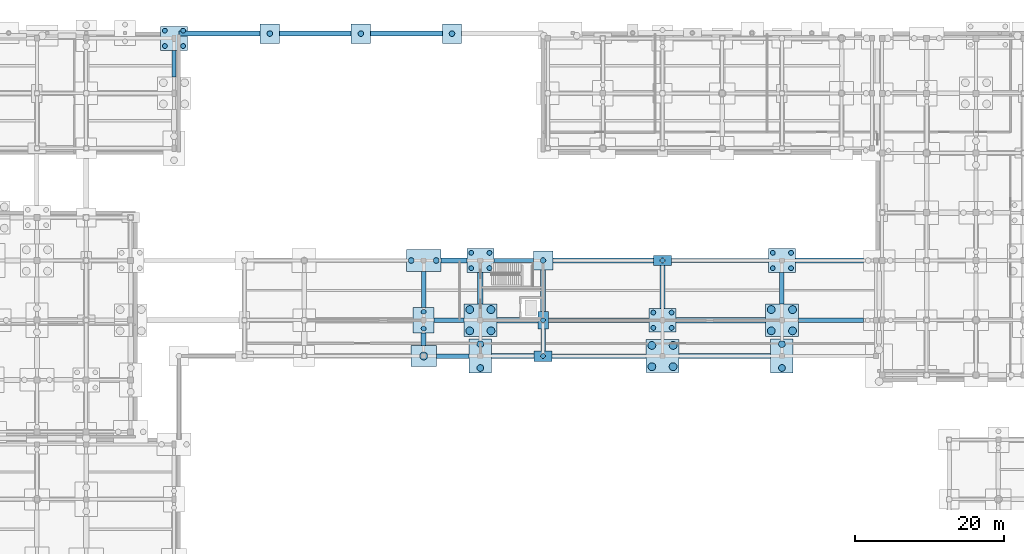
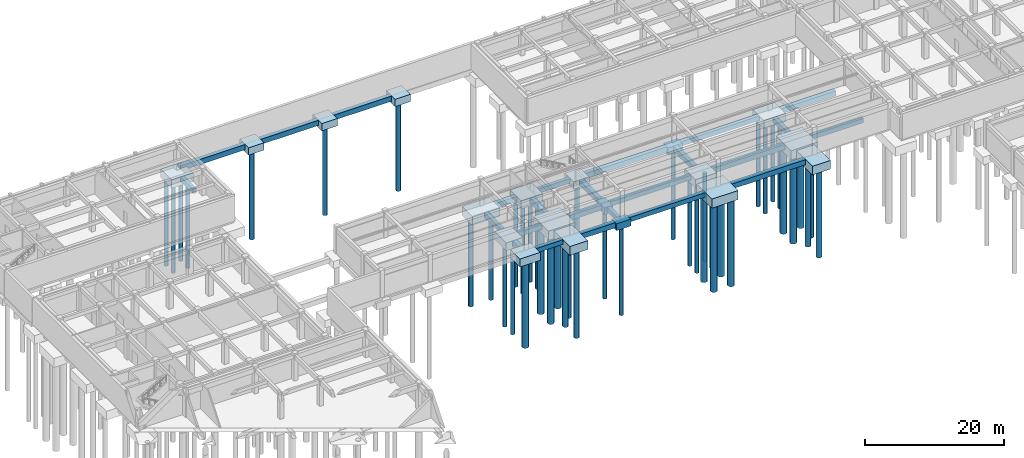
# One storey, part 6 of 35: 44 footings, 44 piles.
"""IFC4 building model written with IfcOpenShell, lengths in metres."""

from ifc_helpers import new_model, si_unit, direction, frame, origin, origin_2d, place, context, subcontext, project, spatial, polyline, rectangle, circle, outline, extrude, material, layer, layer_set, material_profile, profile_set, type_object, element, save


model = new_model("IFC4")

# Units and contexts
model_context = context("Model", 3, precision=1e-05, world=origin(), true_north=direction((0.0, 1.0)))
body_context = subcontext(model_context, "Body", "Model", "MODEL_VIEW")
ifc_project = project(units=[si_unit("LENGTHUNIT", "METRE"), si_unit("AREAUNIT", "SQUARE_METRE"), si_unit("VOLUMEUNIT", "CUBIC_METRE"), si_unit("PLANEANGLEUNIT", "RADIAN"), si_unit("MASSUNIT", "GRAM", prefix="KILO")], contexts=[model_context])

# Site, building, storey
site_placement = place(None, origin())
site = spatial("IfcSite", under=ifc_project, at=site_placement, CompositionType="ELEMENT")
building_placement = place(site_placement, origin())
building = spatial("IfcBuilding", under=site, at=building_placement, Name="Cinchona Park Media Centre", CompositionType="ELEMENT")
storey_placement = place(building_placement, frame((0.0, 0.0, -4.800048828125)))
storey = spatial("IfcBuildingStorey", under=building, at=storey_placement, Name="B1", CompositionType="ELEMENT", Elevation=-4.800048828125)

# Footings
ifc_material_1 = material(Name="Concrete C40/50", Category="concrete")
ifc_layer_1 = layer(ifc_material_1, 0.800048828125)
ifc_layer_set_1 = layer_set([ifc_layer_1], Name="Concrete C40/50")
footing_type_1 = type_object("IfcFootingType", Name="FTG-BEAM-FB01", PredefinedType="FOOTING_BEAM", material=ifc_layer_set_1)
footing_1_placement = place(storey_placement, frame((0.0, 0.0, -1.199951171875)))
element("IfcFooting", 1, at=footing_1_placement, inside=storey, type_object=footing_type_1, Name="Ground Tie Beam FB01", PredefinedType="FOOTING_BEAM", context=body_context, shape_type="SweptSolid", body=[
    extrude(outline(polyline([(80.5, 74.5), (84.89990234375, 74.5), (84.89990234375, 75.10009765625), (80.5, 75.10009765625), (80.5, 74.5)])), origin(), (0.0, 0.0, 1.0), 0.800048828125),
])
footing_2_placement = place(storey_placement, frame((0.0, 0.0, -1.199951171875)))
element("IfcFooting", 2, at=footing_2_placement, inside=storey, type_object=footing_type_1, Name="Ground Tie Beam FB01", PredefinedType="FOOTING_BEAM", context=body_context, shape_type="SweptSolid", body=[
    extrude(outline(polyline([(96.0, 74.5), (108.60009765625, 74.5), (108.60009765625, 75.10009765625), (96.0, 75.10009765625), (96.0, 74.5)])), origin(), (0.0, 0.0, 1.0), 0.800048828125),
])
footing_3_placement = place(storey_placement, frame((0.0, 0.0, -1.199951171875)))
element("IfcFooting", 3, at=footing_3_placement, inside=storey, type_object=footing_type_1, Name="Ground Tie Beam FB01", PredefinedType="FOOTING_BEAM", context=body_context, shape_type="SweptSolid", body=[
    extrude(outline(polyline([(80.199951171875, 79.300048828125), (84.199951171875, 79.300048828125), (84.199951171875, 79.89990234375), (80.199951171875, 79.89990234375), (80.199951171875, 79.300048828125)])), origin(), (0.0, 0.0, 1.0), 0.800048828125),
])
footing_4_placement = place(storey_placement, frame((0.0, 0.0, -1.199951171875)))
element("IfcFooting", 4, at=footing_4_placement, inside=storey, type_object=footing_type_1, Name="Ground Tie Beam FB01", PredefinedType="FOOTING_BEAM", context=body_context, shape_type="SweptSolid", body=[
    extrude(outline(polyline([(95.5, 79.300048828125), (109.0, 79.300048828125), (109.0, 79.89990234375), (95.5, 79.89990234375), (95.5, 79.300048828125)])), origin(), (0.0, 0.0, 1.0), 0.800048828125),
])
footing_5_placement = place(storey_placement, frame((0.0, 0.0, -1.199951171875)))
element("IfcFooting", 5, at=footing_5_placement, inside=storey, type_object=footing_type_1, Name="Ground Tie Beam FB01", PredefinedType="FOOTING_BEAM", context=body_context, shape_type="SweptSolid", body=[
    extrude(outline(polyline([(129.0, 79.300048828125), (137.719970703125, 79.300048828125), (137.719970703125, 79.89990234375), (129.0, 79.89990234375), (129.0, 79.300048828125)])), origin(), (0.0, 0.0, 1.0), 0.800048828125),
])
footing_6_placement = place(storey_placement, frame((0.0, 0.0, -1.199951171875)))
element("IfcFooting", 6, at=footing_6_placement, inside=storey, type_object=footing_type_1, Name="Ground Tie Beam FB01", PredefinedType="FOOTING_BEAM", context=body_context, shape_type="SweptSolid", body=[
    extrude(outline(polyline([(88.199951171875, 87.300048828125), (93.5, 87.300048828125), (93.5, 87.89990234375), (88.199951171875, 87.89990234375), (88.199951171875, 87.300048828125)])), origin(), (0.0, 0.0, 1.0), 0.800048828125),
])
footing_7_placement = place(storey_placement, frame((0.0, 0.0, -1.199951171875)))
element("IfcFooting", 7, at=footing_7_placement, inside=storey, type_object=footing_type_1, Name="Ground Tie Beam FB01", PredefinedType="FOOTING_BEAM", context=body_context, shape_type="SweptSolid", body=[
    extrude(outline(polyline([(112.0, 87.300048828125), (125.0, 87.300048828125), (125.0, 87.89990234375), (112.0, 87.89990234375), (112.0, 87.300048828125)])), origin(), (0.0, 0.0, 1.0), 0.800048828125),
])
footing_8_placement = place(storey_placement, frame((0.0, 0.0, -1.224853515625)))
element("IfcFooting", 8, at=footing_8_placement, inside=storey, type_object=footing_type_1, Name="Ground Tie Beam FB01", PredefinedType="FOOTING_BEAM", context=body_context, shape_type="SweptSolid", body=[
    extrude(outline(polyline([(45.06005859375, 112.199951171875), (45.659912109375, 112.199951171875), (45.659912109375, 115.760009765625), (45.06005859375, 115.760009765625), (45.06005859375, 112.199951171875)])), origin(), (0.0, 0.0, 1.0), 0.7998046875),
])
footing_9_placement = place(storey_placement, frame((0.0, 0.0, -1.199951171875)))
element("IfcFooting", 9, at=footing_9_placement, inside=storey, type_object=footing_type_1, Name="Ground Tie Beam FB01", PredefinedType="FOOTING_BEAM", context=body_context, shape_type="SweptSolid", body=[
    extrude(outline(polyline([(78.5, 81.300048828125), (79.10009765625, 81.300048828125), (79.10009765625, 86.10009765625), (78.5, 86.10009765625), (78.5, 81.300048828125)])), origin(), (0.0, 0.0, 1.0), 0.800048828125),
])
footing_10_placement = place(storey_placement, frame((0.0, 0.0, -1.199951171875)))
element("IfcFooting", 10, at=footing_10_placement, inside=storey, type_object=footing_type_1, Name="Ground Tie Beam FB01", PredefinedType="FOOTING_BEAM", context=body_context, shape_type="SweptSolid", body=[
    extrude(outline(polyline([(94.5, 75.5), (95.10009765625, 75.5), (95.10009765625, 78.39990234375), (94.5, 78.39990234375), (94.5, 75.5)])), origin(), (0.0, 0.0, 1.0), 0.800048828125),
])
footing_11_placement = place(storey_placement, frame((0.0, 0.0, -1.199951171875)))
element("IfcFooting", 11, at=footing_11_placement, inside=storey, type_object=footing_type_1, Name="Ground Tie Beam FB01", PredefinedType="FOOTING_BEAM", context=body_context, shape_type="SweptSolid", body=[
    extrude(outline(polyline([(126.5, 81.800048828125), (127.10009765625, 81.800048828125), (127.10009765625, 86.0), (126.5, 86.0), (126.5, 81.800048828125)])), origin(), (0.0, 0.0, 1.0), 0.800048828125),
])
ifc_material_2 = material(Name="Concrete C40/50", Category="concrete")
ifc_layer_2 = layer(ifc_material_2, 0.89990234375)
ifc_layer_set_2 = layer_set([ifc_layer_2], Name="Concrete C40/50")
footing_type_2 = type_object("IfcFootingType", Name="FTG-BEAM-FB02", PredefinedType="FOOTING_BEAM", material=ifc_layer_set_2)
footing_12_placement = place(storey_placement, frame((0.0, 0.0, -1.300048828125)))
element("IfcFooting", 12, at=footing_12_placement, inside=storey, type_object=footing_type_2, Name="Ground Tie Beam FB02", PredefinedType="FOOTING_BEAM", context=body_context, shape_type="SweptSolid", body=[
    extrude(outline(polyline([(87.89990234375, 74.449951171875), (93.60009765625, 74.449951171875), (93.60009765625, 75.14990234375), (87.89990234375, 75.14990234375), (87.89990234375, 74.449951171875)])), origin(), (0.0, 0.0, 1.0), 0.900146484375),
])
footing_13_placement = place(storey_placement, frame((0.0, 0.0, -1.300048828125)))
element("IfcFooting", 13, at=footing_13_placement, inside=storey, type_object=footing_type_2, Name="Ground Tie Beam FB02", PredefinedType="FOOTING_BEAM", context=body_context, shape_type="SweptSolid", body=[
    extrude(outline(polyline([(113.0, 74.449951171875), (125.300048828125, 74.449951171875), (125.300048828125, 75.14990234375), (113.0, 75.14990234375), (113.0, 74.449951171875)])), origin(), (0.0, 0.0, 1.0), 0.900146484375),
])
footing_14_placement = place(storey_placement, frame((0.0, 0.0, -1.300048828125)))
element("IfcFooting", 14, at=footing_14_placement, inside=storey, type_object=footing_type_2, Name="Ground Tie Beam FB02", PredefinedType="FOOTING_BEAM", context=body_context, shape_type="SweptSolid", body=[
    extrude(outline(polyline([(88.60009765625, 79.25), (94.10009765625, 79.25), (94.10009765625, 79.949951171875), (88.60009765625, 79.949951171875), (88.60009765625, 79.25)])), origin(), (0.0, 0.0, 1.0), 0.900146484375),
])
footing_15_placement = place(storey_placement, frame((0.0, 0.0, -1.300048828125)))
element("IfcFooting", 15, at=footing_15_placement, inside=storey, type_object=footing_type_2, Name="Ground Tie Beam FB02", PredefinedType="FOOTING_BEAM", context=body_context, shape_type="SweptSolid", body=[
    extrude(outline(polyline([(112.60009765625, 79.25), (124.60009765625, 79.25), (124.60009765625, 79.949951171875), (112.60009765625, 79.949951171875), (112.60009765625, 79.25)])), origin(), (0.0, 0.0, 1.0), 0.900146484375),
])
footing_16_placement = place(storey_placement, frame((0.0, 0.0, -1.300048828125)))
element("IfcFooting", 16, at=footing_16_placement, inside=storey, type_object=footing_type_2, Name="Ground Tie Beam FB02", PredefinedType="FOOTING_BEAM", context=body_context, shape_type="SweptSolid", body=[
    extrude(outline(polyline([(81.10009765625, 87.25), (84.60009765625, 87.25), (84.60009765625, 87.949951171875), (81.10009765625, 87.949951171875), (81.10009765625, 87.25)])), origin(), (0.0, 0.0, 1.0), 0.900146484375),
])
footing_17_placement = place(storey_placement, frame((0.0, 0.0, -1.300048828125)))
element("IfcFooting", 17, at=footing_17_placement, inside=storey, type_object=footing_type_2, Name="Ground Tie Beam FB02", PredefinedType="FOOTING_BEAM", context=body_context, shape_type="SweptSolid", body=[
    extrude(outline(polyline([(96.10009765625, 87.25), (109.60009765625, 87.25), (109.60009765625, 87.949951171875), (96.10009765625, 87.949951171875), (96.10009765625, 87.25)])), origin(), (0.0, 0.0, 1.0), 0.900146484375),
])
footing_18_placement = place(storey_placement, frame((0.0, 0.0, -1.300048828125)))
element("IfcFooting", 18, at=footing_18_placement, inside=storey, type_object=footing_type_2, Name="Ground Tie Beam FB02", PredefinedType="FOOTING_BEAM", context=body_context, shape_type="SweptSolid", body=[
    extrude(outline(polyline([(128.60009765625, 87.25), (137.719970703125, 87.25), (137.719970703125, 87.949951171875), (128.60009765625, 87.949951171875), (128.60009765625, 87.25)])), origin(), (0.0, 0.0, 1.0), 0.900146484375),
])
footing_19_placement = place(storey_placement, frame((0.0, 0.0, -1.300048828125)))
element("IfcFooting", 19, at=footing_19_placement, inside=storey, type_object=footing_type_2, Name="Ground Tie Beam FB02", PredefinedType="FOOTING_BEAM", context=body_context, shape_type="SweptSolid", body=[
    extrude(outline(polyline([(78.449951171875, 76.199951171875), (79.14990234375, 76.199951171875), (79.14990234375, 77.89990234375), (78.449951171875, 77.89990234375), (78.449951171875, 76.199951171875)])), origin(), (0.0, 0.0, 1.0), 0.900146484375),
])
footing_20_placement = place(storey_placement, frame((0.0, 0.0, -1.300048828125)))
element("IfcFooting", 20, at=footing_20_placement, inside=storey, type_object=footing_type_2, Name="Ground Tie Beam FB02", PredefinedType="FOOTING_BEAM", context=body_context, shape_type="SweptSolid", body=[
    extrude(outline(polyline([(86.050048828125, 81.800048828125), (86.75, 81.800048828125), (86.75, 86.0), (86.050048828125, 86.0), (86.050048828125, 81.800048828125)])), origin(), (0.0, 0.0, 1.0), 0.900146484375),
])
footing_21_placement = place(storey_placement, frame((0.0, 0.0, -1.300048828125)))
element("IfcFooting", 21, at=footing_21_placement, inside=storey, type_object=footing_type_2, Name="Ground Tie Beam FB02", PredefinedType="FOOTING_BEAM", context=body_context, shape_type="SweptSolid", body=[
    extrude(outline(polyline([(94.449951171875, 80.800048828125), (95.14990234375, 80.800048828125), (95.14990234375, 86.300048828125), (94.449951171875, 86.300048828125), (94.449951171875, 80.800048828125)])), origin(), (0.0, 0.0, 1.0), 0.900146484375),
])
footing_22_placement = place(storey_placement, frame((0.0, 0.0, -1.300048828125)))
element("IfcFooting", 22, at=footing_22_placement, inside=storey, type_object=footing_type_2, Name="Ground Tie Beam FB02", PredefinedType="FOOTING_BEAM", context=body_context, shape_type="SweptSolid", body=[
    extrude(outline(polyline([(110.449951171875, 81.199951171875), (111.14990234375, 81.199951171875), (111.14990234375, 86.89990234375), (110.449951171875, 86.89990234375), (110.449951171875, 81.199951171875)])), origin(), (0.0, 0.0, 1.0), 0.900146484375),
])
footing_23_placement = place(storey_placement, frame((0.0, 0.0, -0.89990234375)))
element("IfcFooting", 23, at=footing_23_placement, inside=storey, type_object=footing_type_2, Name="Ground Tie Beam FB02", PredefinedType="FOOTING_BEAM", context=body_context, shape_type="SweptSolid", body=[
    extrude(outline(polyline([(46.010009765625, 117.64990234375), (56.89990234375, 117.64990234375), (56.89990234375, 118.35009765625), (46.010009765625, 118.35009765625), (46.010009765625, 117.64990234375)])), origin(), (0.0, 0.0, 1.0), 0.89990234375),
])
footing_24_placement = place(storey_placement, frame((0.0, 0.0, -0.89990234375)))
element("IfcFooting", 24, at=footing_24_placement, inside=storey, type_object=footing_type_2, Name="Ground Tie Beam FB02", PredefinedType="FOOTING_BEAM", context=body_context, shape_type="SweptSolid", body=[
    extrude(outline(polyline([(59.5, 117.64990234375), (69.10009765625, 117.64990234375), (69.10009765625, 118.35009765625), (59.5, 118.35009765625), (59.5, 117.64990234375)])), origin(), (0.0, 0.0, 1.0), 0.89990234375),
])
footing_25_placement = place(storey_placement, frame((0.0, 0.0, -0.89990234375)))
element("IfcFooting", 25, at=footing_25_placement, inside=storey, type_object=footing_type_2, Name="Ground Tie Beam FB02", PredefinedType="FOOTING_BEAM", context=body_context, shape_type="SweptSolid", body=[
    extrude(outline(polyline([(71.699951171875, 117.64990234375), (81.300048828125, 117.64990234375), (81.300048828125, 118.35009765625), (71.699951171875, 118.35009765625), (71.699951171875, 117.64990234375)])), origin(), (0.0, 0.0, 1.0), 0.89990234375),
])

# Piles
ifc_material_3 = material(Name="Concrete C40/50", Category="concrete")
ifc_material_profile_1 = material_profile(ifc_material_3, circle(Radius=0.52490234375, at=origin_2d()), Name="BORED PILE 1050")
ifc_profile_set_1 = profile_set([ifc_material_profile_1], Name="Concrete C40/50")
pile_type_1 = type_object("IfcPileType", Name="PILE-BP1050", PredefinedType="BORED", material=ifc_profile_set_1)
pile_1_placement = place(storey_placement, frame((78.800048828125, 74.800048828125, -1.699951171875), z_axis=(0.0, 0.0, -1.0), x_axis=(1.0, 0.0, 0.0)))
element("IfcPile", 26, at=pile_1_placement, inside=storey, type_object=pile_type_1, Name="Bored Pile P1050", PredefinedType="BORED", context=body_context, shape_type="SweptSolid", body=[
    extrude(circle(Radius=0.52490234375, at=origin_2d()), origin(), (0.0, 0.0, 1.0), 15.5),
])
for number, where, z_axis, x_axis, name in (
    (27, (84.97509765625, 78.175048828125, -1.89990234375), (0.0, 0.0, -1.0), (1.0, 0.0, 0.0), "Bored Pile P1050"),
    (28, (84.97509765625, 81.02490234375, -1.89990234375), (0.0, 0.0, -1.0), (1.0, 0.0, 0.0), "Bored Pile P1050"),
    (29, (87.824951171875, 78.175048828125, -1.89990234375), (0.0, 0.0, -1.0), (1.0, 0.0, 0.0), "Bored Pile P1050"),
    (30, (87.824951171875, 81.02490234375, -1.89990234375), (0.0, 0.0, -1.0), (1.0, 0.0, 0.0), "Bored Pile P1050"),
    (31, (109.375, 73.375, -1.89990234375), (0.0, 0.0, -1.0), (1.0, 0.0, 0.0), "Bored Pile P1050"),
    (32, (109.375, 76.22509765625, -1.89990234375), (0.0, 0.0, -1.0), (1.0, 0.0, 0.0), "Bored Pile P1050"),
    (33, (112.22509765625, 73.375, -1.89990234375), (0.0, 0.0, -1.0), (1.0, 0.0, 0.0), "Bored Pile P1050"),
    (34, (112.22509765625, 76.22509765625, -1.89990234375), (0.0, 0.0, -1.0), (1.0, 0.0, 0.0), "Bored Pile P1050"),
    (35, (125.375, 78.175048828125, -1.89990234375), (0.0, 0.0, -1.0), (1.0, 0.0, 0.0), "Bored Pile P1050"),
    (36, (125.375, 81.02490234375, -1.89990234375), (0.0, 0.0, -1.0), (1.0, 0.0, 0.0), "Bored Pile P1050"),
    (37, (128.22509765625, 78.175048828125, -1.89990234375), (0.0, 0.0, -1.0), (1.0, 0.0, 0.0), "Bored Pile P1050"),
    (38, (128.22509765625, 81.02490234375, -1.89990234375), (0.0, 0.0, -1.0), (1.0, 0.0, 0.0), "Bored Pile P1050"),
):
    element("IfcPile", number, at=place(storey_placement, frame(where, z_axis=z_axis, x_axis=x_axis)), inside=storey, type_object=pile_type_1, Name=name, PredefinedType="BORED", context=body_context, shape_type="SweptSolid", body=[
        extrude(circle(Radius=0.52490234375, at=origin_2d()), origin(), (0.0, 0.0, 1.0), 15.300048828125),
    ])
ifc_material_4 = material(Name="Concrete C40/50", Category="concrete")
ifc_material_profile_2 = material_profile(ifc_material_4, circle(Radius=0.324951171875, at=origin_2d()), Name="BORED PILE 650")
ifc_profile_set_2 = profile_set([ifc_material_profile_2], Name="Concrete C40/50")
pile_type_2 = type_object("IfcPileType", Name="PILE-BP650", PredefinedType="BORED", material=ifc_profile_set_2)
for number, where, z_axis, x_axis, name in (
    (39, (44.135009765625, 116.3349609375, -1.804931640625), (0.0, 0.0, -1.0), (1.0, 0.0, 0.0), "Bored Pile P650"),
    (40, (44.135009765625, 118.385009765625, -1.804931640625), (0.0, 0.0, -1.0), (1.0, 0.0, 0.0), "Bored Pile P650"),
    (41, (46.5849609375, 116.3349609375, -1.804931640625), (0.0, 0.0, -1.0), (1.0, 0.0, 0.0), "Bored Pile P650"),
    (42, (46.5849609375, 118.385009765625, -1.804931640625), (0.0, 0.0, -1.0), (1.0, 0.0, 0.0), "Bored Pile P650"),
):
    element("IfcPile", number, at=place(storey_placement, frame(where, z_axis=z_axis, x_axis=x_axis)), inside=storey, type_object=pile_type_2, Name=name, PredefinedType="BORED", context=body_context, shape_type="SweptSolid", body=[
        extrude(circle(Radius=0.324951171875, at=origin_2d()), origin(), (0.0, 0.0, 1.0), 15.39501953125),
    ])
for number, where, z_axis, x_axis, name in (
    (43, (78.800048828125, 78.47509765625, -1.699951171875), (0.0, 0.0, -1.0), (1.0, 0.0, 0.0), "Bored Pile P650"),
    (44, (78.800048828125, 80.72509765625, -1.699951171875), (0.0, 0.0, -1.0), (1.0, 0.0, 0.0), "Bored Pile P650"),
):
    element("IfcPile", number, at=place(storey_placement, frame(where, z_axis=z_axis, x_axis=x_axis)), inside=storey, type_object=pile_type_2, Name=name, PredefinedType="BORED", context=body_context, shape_type="SweptSolid", body=[
        extrude(circle(Radius=0.324951171875, at=origin_2d()), origin(), (0.0, 0.0, 1.0), 15.5),
    ])
for number, where, z_axis, x_axis, name in (
    (45, (85.175048828125, 86.574951171875, -1.780029296875), (0.0, 0.0, -1.0), (1.0, 0.0, 0.0), "Bored Pile P650"),
    (46, (85.175048828125, 88.625, -1.780029296875), (0.0, 0.0, -1.0), (1.0, 0.0, 0.0), "Bored Pile P650"),
    (47, (87.625, 86.574951171875, -1.780029296875), (0.0, 0.0, -1.0), (1.0, 0.0, 0.0), "Bored Pile P650"),
    (48, (87.625, 88.625, -1.780029296875), (0.0, 0.0, -1.0), (1.0, 0.0, 0.0), "Bored Pile P650"),
):
    element("IfcPile", number, at=place(storey_placement, frame(where, z_axis=z_axis, x_axis=x_axis)), inside=storey, type_object=pile_type_2, Name=name, PredefinedType="BORED", context=body_context, shape_type="SweptSolid", body=[
        extrude(circle(Radius=0.324951171875, at=origin_2d()), origin(), (0.0, 0.0, 1.0), 15.419921875),
    ])
for number, where, z_axis, x_axis, name in (
    (49, (94.800048828125, 74.800048828125, -1.5), (0.0, 0.0, -1.0), (1.0, 0.0, 0.0), "Bored Pile P650"),
    (50, (94.800048828125, 79.60009765625, -1.5), (0.0, 0.0, -1.0), (1.0, 0.0, 0.0), "Bored Pile P650"),
):
    element("IfcPile", number, at=place(storey_placement, frame(where, z_axis=z_axis, x_axis=x_axis)), inside=storey, type_object=pile_type_2, Name=name, PredefinedType="BORED", context=body_context, shape_type="SweptSolid", body=[
        extrude(circle(Radius=0.324951171875, at=origin_2d()), origin(), (0.0, 0.0, 1.0), 15.699951171875),
    ])
for number, where, z_axis, x_axis, name in (
    (51, (109.574951171875, 78.574951171875, -1.780029296875), (0.0, 0.0, -1.0), (1.0, 0.0, 0.0), "Bored Pile P650"),
    (52, (109.574951171875, 80.625, -1.780029296875), (0.0, 0.0, -1.0), (1.0, 0.0, 0.0), "Bored Pile P650"),
    (53, (112.02490234375, 78.574951171875, -1.780029296875), (0.0, 0.0, -1.0), (1.0, 0.0, 0.0), "Bored Pile P650"),
    (54, (112.02490234375, 80.625, -1.780029296875), (0.0, 0.0, -1.0), (1.0, 0.0, 0.0), "Bored Pile P650"),
):
    element("IfcPile", number, at=place(storey_placement, frame(where, z_axis=z_axis, x_axis=x_axis)), inside=storey, type_object=pile_type_2, Name=name, PredefinedType="BORED", context=body_context, shape_type="SweptSolid", body=[
        extrude(circle(Radius=0.324951171875, at=origin_2d()), origin(), (0.0, 0.0, 1.0), 15.419921875),
    ])
pile_2_placement = place(storey_placement, frame((110.800048828125, 87.60009765625, -1.5), z_axis=(0.0, 0.0, -1.0), x_axis=(1.0, 0.0, 0.0)))
element("IfcPile", 55, at=pile_2_placement, inside=storey, type_object=pile_type_2, Name="Bored Pile P650", PredefinedType="BORED", context=body_context, shape_type="SweptSolid", body=[
    extrude(circle(Radius=0.324951171875, at=origin_2d()), origin(), (0.0, 0.0, 1.0), 15.699951171875),
])
for number, where, z_axis, x_axis, name in (
    (56, (125.574951171875, 86.574951171875, -1.780029296875), (0.0, 0.0, -1.0), (1.0, 0.0, 0.0), "Bored Pile P650"),
    (57, (125.574951171875, 88.625, -1.780029296875), (0.0, 0.0, -1.0), (1.0, 0.0, 0.0), "Bored Pile P650"),
    (58, (128.02490234375, 86.574951171875, -1.780029296875), (0.0, 0.0, -1.0), (1.0, 0.0, 0.0), "Bored Pile P650"),
    (59, (128.02490234375, 88.625, -1.780029296875), (0.0, 0.0, -1.0), (1.0, 0.0, 0.0), "Bored Pile P650"),
):
    element("IfcPile", number, at=place(storey_placement, frame(where, z_axis=z_axis, x_axis=x_axis)), inside=storey, type_object=pile_type_2, Name=name, PredefinedType="BORED", context=body_context, shape_type="SweptSolid", body=[
        extrude(circle(Radius=0.324951171875, at=origin_2d()), origin(), (0.0, 0.0, 1.0), 15.419921875),
    ])
ifc_material_5 = material(Name="Concrete C40/50", Category="concrete")
ifc_material_profile_3 = material_profile(ifc_material_5, circle(Radius=0.375, at=origin_2d()), Name="BORED PILE 750")
ifc_profile_set_3 = profile_set([ifc_material_profile_3], Name="Concrete C40/50")
pile_type_3 = type_object("IfcPileType", Name="PILE-BP750", PredefinedType="BORED", material=ifc_profile_set_3)
for number, where, z_axis, x_axis, name in (
    (60, (77.125, 87.60009765625, -1.849853515625), (0.0, 0.0, -1.0), (1.0, 0.0, 0.0), "Bored Pile P750"),
    (61, (80.47509765625, 87.60009765625, -1.849853515625), (0.0, 0.0, -1.0), (1.0, 0.0, 0.0), "Bored Pile P750"),
):
    element("IfcPile", number, at=place(storey_placement, frame(where, z_axis=z_axis, x_axis=x_axis)), inside=storey, type_object=pile_type_3, Name=name, PredefinedType="BORED", context=body_context, shape_type="SweptSolid", body=[
        extrude(circle(Radius=0.375, at=origin_2d()), origin(), (0.0, 0.0, 1.0), 15.35009765625),
    ])
pile_3_placement = place(storey_placement, frame((94.800048828125, 87.60009765625, -1.599853515625), z_axis=(0.0, 0.0, -1.0), x_axis=(1.0, 0.0, 0.0)))
element("IfcPile", 62, at=pile_3_placement, inside=storey, type_object=pile_type_3, Name="Bored Pile P750", PredefinedType="BORED", context=body_context, shape_type="SweptSolid", body=[
    extrude(circle(Radius=0.375, at=origin_2d()), origin(), (0.0, 0.0, 1.0), 15.60009765625),
])
for number, where, z_axis, x_axis, name in (
    (63, (58.199951171875, 118.0, -1.199951171875), (0.0, 0.0, -1.0), (1.0, 0.0, 0.0), "Bored Pile P750"),
    (64, (70.39990234375, 118.0, -1.199951171875), (0.0, 0.0, -1.0), (1.0, 0.0, 0.0), "Bored Pile P750"),
    (65, (82.60009765625, 118.0, -1.199951171875), (0.0, 0.0, -1.0), (1.0, 0.0, 0.0), "Bored Pile P750"),
):
    element("IfcPile", number, at=place(storey_placement, frame(where, z_axis=z_axis, x_axis=x_axis)), inside=storey, type_object=pile_type_3, Name=name, PredefinedType="BORED", context=body_context, shape_type="SweptSolid", body=[
        extrude(circle(Radius=0.375, at=origin_2d()), origin(), (0.0, 0.0, 1.0), 16.0),
    ])
ifc_material_6 = material(Name="Concrete C40/50", Category="concrete")
ifc_material_profile_4 = material_profile(ifc_material_6, circle(Radius=0.449951171875, at=origin_2d()), Name="BORED PILE 900")
ifc_profile_set_4 = profile_set([ifc_material_profile_4], Name="Concrete C40/50")
pile_type_4 = type_object("IfcPileType", Name="PILE-BP900", PredefinedType="BORED", material=ifc_profile_set_4)
for number, where, z_axis, x_axis, name in (
    (66, (86.39990234375, 73.199951171875, -1.849853515625), (0.0, 0.0, -1.0), (1.0, 0.0, 0.0), "Bored Pile P900"),
    (67, (86.39990234375, 76.39990234375, -1.849853515625), (0.0, 0.0, -1.0), (1.0, 0.0, 0.0), "Bored Pile P900"),
    (68, (126.800048828125, 73.199951171875, -1.849853515625), (0.0, 0.0, -1.0), (1.0, 0.0, 0.0), "Bored Pile P900"),
    (69, (126.800048828125, 76.39990234375, -1.849853515625), (0.0, 0.0, -1.0), (1.0, 0.0, 0.0), "Bored Pile P900"),
):
    element("IfcPile", number, at=place(storey_placement, frame(where, z_axis=z_axis, x_axis=x_axis)), inside=storey, type_object=pile_type_4, Name=name, PredefinedType="BORED", context=body_context, shape_type="SweptSolid", body=[
        extrude(circle(Radius=0.449951171875, at=origin_2d()), origin(), (0.0, 0.0, 1.0), 15.35009765625),
    ])

# Footings
ifc_material_7 = material(Name="Concrete C40/50", Category="concrete")
ifc_layer_3 = layer(ifc_material_7, 1.199951171875)
ifc_layer_set_3 = layer_set([ifc_layer_3], Name="Concrete C40/50")
footing_type_3 = type_object("IfcFootingType", Name="PILE-CAP-PC01", PredefinedType="PILE_CAP", material=ifc_layer_set_3)
for number, where, z_axis, x_axis, name in (
    (70, (94.800048828125, 74.800048828125, -1.60009765625), (0.0, 0.0, 1.0), (1.0, 0.0, 0.0), "Pile Cap PC01"),
    (71, (110.800048828125, 87.60009765625, -1.60009765625), (0.0, 0.0, 1.0), (1.0, 0.0, 0.0), "Pile Cap PC01"),
):
    element("IfcFooting", number, at=place(storey_placement, frame(where, z_axis=z_axis, x_axis=x_axis)), inside=storey, type_object=footing_type_3, Name=name, PredefinedType="PILE_CAP", context=body_context, shape_type="SweptSolid", body=[
        extrude(rectangle(XDim=2.39990234375, YDim=1.39990234375, at=origin_2d()), origin(), (0.0, 0.0, 1.0), 1.199951171875),
    ])
ifc_material_8 = material(Name="Concrete C40/50", Category="concrete")
ifc_layer_4 = layer(ifc_material_8, 1.199951171875)
ifc_layer_set_4 = layer_set([ifc_layer_4], Name="Concrete C40/50")
footing_type_4 = type_object("IfcFootingType", Name="PILE-CAP-PC02", PredefinedType="PILE_CAP", material=ifc_layer_set_4)
footing_26_placement = place(storey_placement, frame((94.800048828125, 79.60009765625, -1.60009765625), z_axis=(0.0, 0.0, 1.0), x_axis=(1.0, 0.0, 0.0)))
element("IfcFooting", 72, at=footing_26_placement, inside=storey, type_object=footing_type_4, Name="Pile Cap PC02", PredefinedType="PILE_CAP", context=body_context, shape_type="SweptSolid", body=[
    extrude(rectangle(XDim=1.39990234375, YDim=2.39990234375, at=origin_2d()), origin(), (0.0, 0.0, 1.0), 1.199951171875),
])
ifc_material_9 = material(Name="Concrete C40/50", Category="concrete")
ifc_layer_5 = layer(ifc_material_9, 1.300048828125)
ifc_layer_set_5 = layer_set([ifc_layer_5], Name="Concrete C40/50")
footing_type_5 = type_object("IfcFootingType", Name="PILE-CAP-PC03", PredefinedType="PILE_CAP", material=ifc_layer_set_5)
for number, where, z_axis, x_axis, name in (
    (73, (94.800048828125, 87.60009765625, -1.7001953125), (0.0, 0.0, 1.0), (1.0, 0.0, 0.0), "Pile Cap PC03"),
    (74, (58.199951171875, 118.0, -1.2998046875), (0.0, 0.0, 1.0), (1.0, 0.0, 0.0), "Pile Cap PC03"),
    (75, (70.39990234375, 118.0, -1.2998046875), (0.0, 0.0, 1.0), (1.0, 0.0, 0.0), "Pile Cap PC03"),
    (76, (82.60009765625, 118.0, -1.2998046875), (0.0, 0.0, 1.0), (1.0, 0.0, 0.0), "Pile Cap PC03"),
):
    element("IfcFooting", number, at=place(storey_placement, frame(where, z_axis=z_axis, x_axis=x_axis)), inside=storey, type_object=footing_type_5, Name=name, PredefinedType="PILE_CAP", context=body_context, shape_type="SweptSolid", body=[
        extrude(rectangle(XDim=2.60009765625, YDim=2.60009765625, at=origin_2d()), origin(), (0.0, 0.0, 1.0), 1.300048828125),
    ])
ifc_material_10 = material(Name="Concrete C40/50", Category="concrete")
ifc_layer_6 = layer(ifc_material_10, 1.39990234375)
ifc_layer_set_6 = layer_set([ifc_layer_6], Name="Concrete C40/50")
footing_type_6 = type_object("IfcFootingType", Name="PILE-CAP-PC07", PredefinedType="PILE_CAP", material=ifc_layer_set_6)
footing_27_placement = place(storey_placement, frame((78.800048828125, 74.800048828125, -1.7998046875), z_axis=(0.0, 0.0, 1.0), x_axis=(1.0, 0.0, 0.0)))
element("IfcFooting", 77, at=footing_27_placement, inside=storey, type_object=footing_type_6, Name="Pile Cap PC07", PredefinedType="PILE_CAP", context=body_context, shape_type="SweptSolid", body=[
    extrude(rectangle(XDim=3.39990234375, YDim=2.800048828125, at=origin_2d()), origin(), (0.0, 0.0, 1.0), 1.39990234375),
])
ifc_material_11 = material(Name="Concrete C40/50", Category="concrete")
ifc_layer_7 = layer(ifc_material_11, 1.39990234375)
ifc_layer_set_7 = layer_set([ifc_layer_7], Name="Concrete C40/50")
footing_type_7 = type_object("IfcFootingType", Name="PILE-CAP-PC08", PredefinedType="PILE_CAP", material=ifc_layer_set_7)
footing_28_placement = place(storey_placement, frame((78.800048828125, 79.60009765625, -1.7998046875), z_axis=(0.0, 0.0, 1.0), x_axis=(1.0, 0.0, 0.0)))
element("IfcFooting", 78, at=footing_28_placement, inside=storey, type_object=footing_type_7, Name="Pile Cap PC08", PredefinedType="PILE_CAP", context=body_context, shape_type="SweptSolid", body=[
    extrude(rectangle(XDim=2.800048828125, YDim=3.39990234375, at=origin_2d()), origin(), (0.0, 0.0, 1.0), 1.39990234375),
])
ifc_material_12 = material(Name="Concrete C40/50", Category="concrete")
ifc_layer_8 = layer(ifc_material_12, 1.550048828125)
ifc_layer_set_8 = layer_set([ifc_layer_8], Name="Concrete C40/50")
footing_type_8 = type_object("IfcFootingType", Name="PILE-CAP-PC11", PredefinedType="PILE_CAP", material=ifc_layer_set_8)
footing_29_placement = place(storey_placement, frame((78.800048828125, 87.60009765625, -1.9501953125), z_axis=(0.0, 0.0, 1.0), x_axis=(1.0, 0.0, 0.0)))
element("IfcFooting", 79, at=footing_29_placement, inside=storey, type_object=footing_type_8, Name="Pile Cap PC11", PredefinedType="PILE_CAP", context=body_context, shape_type="SweptSolid", body=[
    extrude(rectangle(XDim=4.60009765625, YDim=3.0, at=origin_2d()), origin(), (0.0, 0.0, 1.0), 1.550048828125),
])
ifc_material_13 = material(Name="Concrete C40/50", Category="concrete")
ifc_layer_9 = layer(ifc_material_13, 1.550048828125)
ifc_layer_set_9 = layer_set([ifc_layer_9], Name="Concrete C40/50")
footing_type_9 = type_object("IfcFootingType", Name="PILE-CAP-PC12", PredefinedType="PILE_CAP", material=ifc_layer_set_9)
for number, where, z_axis, x_axis, name in (
    (80, (86.39990234375, 74.800048828125, -1.9501953125), (0.0, 0.0, 1.0), (1.0, 0.0, 0.0), "Pile Cap PC12"),
    (81, (126.800048828125, 74.800048828125, -1.9501953125), (0.0, 0.0, 1.0), (1.0, 0.0, 0.0), "Pile Cap PC12"),
):
    element("IfcFooting", number, at=place(storey_placement, frame(where, z_axis=z_axis, x_axis=x_axis)), inside=storey, type_object=footing_type_9, Name=name, PredefinedType="PILE_CAP", context=body_context, shape_type="SweptSolid", body=[
        extrude(rectangle(XDim=3.0, YDim=4.60009765625, at=origin_2d()), origin(), (0.0, 0.0, 1.0), 1.550048828125),
    ])
ifc_material_14 = material(Name="Concrete C40/50", Category="concrete")
ifc_layer_10 = layer(ifc_material_14, 1.60009765625)
ifc_layer_set_10 = layer_set([ifc_layer_10], Name="Concrete C40/50")
footing_type_10 = type_object("IfcFootingType", Name="PILE-CAP-PC13", PredefinedType="PILE_CAP", material=ifc_layer_set_10)
for number, where, z_axis, x_axis, name in (
    (82, (86.39990234375, 79.60009765625, -2.0), (0.0, 0.0, 1.0), (1.0, 0.0, 0.0), "Pile Cap PC13"),
    (83, (110.800048828125, 74.800048828125, -2.0), (0.0, 0.0, 1.0), (1.0, 0.0, 0.0), "Pile Cap PC13"),
    (84, (126.800048828125, 79.60009765625, -2.0), (0.0, 0.0, 1.0), (1.0, 0.0, 0.0), "Pile Cap PC13"),
):
    element("IfcFooting", number, at=place(storey_placement, frame(where, z_axis=z_axis, x_axis=x_axis)), inside=storey, type_object=footing_type_10, Name=name, PredefinedType="PILE_CAP", context=body_context, shape_type="SweptSolid", body=[
        extrude(rectangle(XDim=4.39990234375, YDim=4.39990234375, at=origin_2d()), origin(), (0.0, 0.0, 1.0), 1.60009765625),
    ])
ifc_material_15 = material(Name="Concrete C40/50", Category="concrete")
ifc_layer_11 = layer(ifc_material_15, 1.47998046875)
ifc_layer_set_11 = layer_set([ifc_layer_11], Name="Concrete C40/50")
footing_type_11 = type_object("IfcFootingType", Name="PILE-CAP-PC15", PredefinedType="PILE_CAP", material=ifc_layer_set_11)
for number, where, z_axis, x_axis, name in (
    (85, (45.360107421875, 117.360107421875, -1.905029296875), (0.0, 0.0, 1.0), (1.0, 0.0, 0.0), "Pile Cap PC15"),
    (86, (86.39990234375, 87.60009765625, -1.8798828125), (0.0, 0.0, 1.0), (1.0, 0.0, 0.0), "Pile Cap PC15"),
    (87, (110.800048828125, 79.60009765625, -1.8798828125), (0.0, 0.0, 1.0), (1.0, 0.0, 0.0), "Pile Cap PC15"),
    (88, (126.800048828125, 87.60009765625, -1.8798828125), (0.0, 0.0, 1.0), (1.0, 0.0, 0.0), "Pile Cap PC15"),
):
    element("IfcFooting", number, at=place(storey_placement, frame(where, z_axis=z_axis, x_axis=x_axis)), inside=storey, type_object=footing_type_11, Name=name, PredefinedType="PILE_CAP", context=body_context, shape_type="SweptSolid", body=[
        extrude(rectangle(XDim=3.60009765625, YDim=3.199951171875, at=origin_2d()), origin(), (0.0, 0.0, 1.0), 1.47998046875),
    ])

save(model, "model.ifc")
